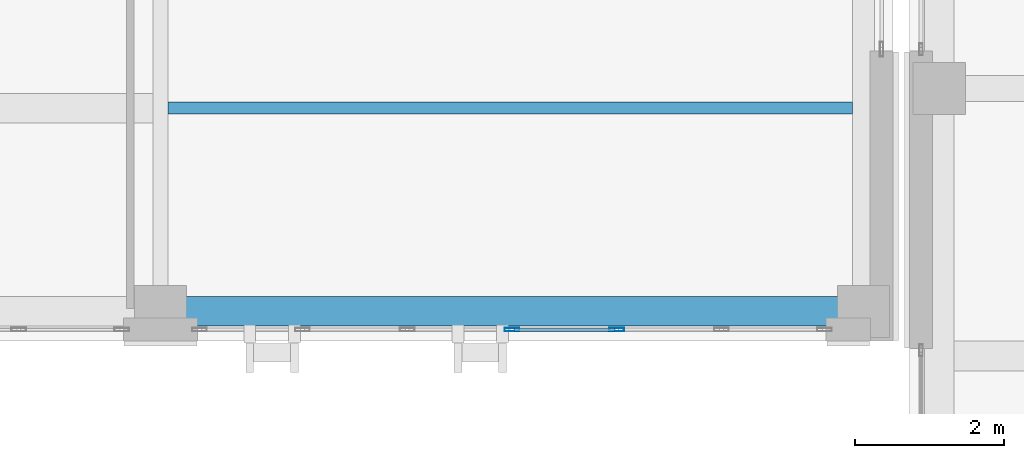
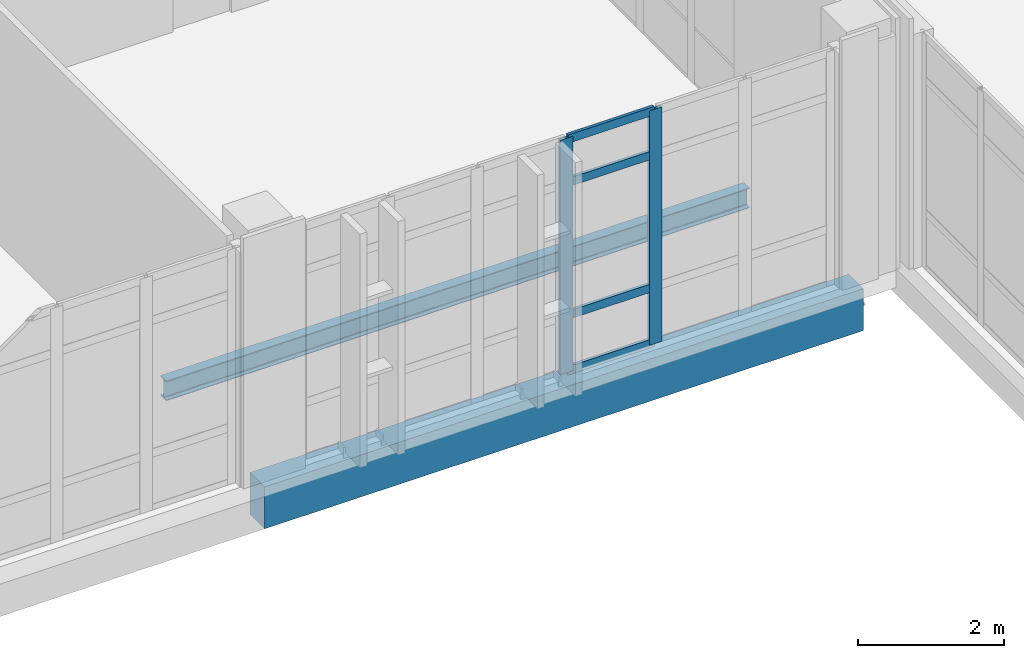
# One storey, part 37 of 193: 6 members, 2 beams, 1 element without a shape of its own.
"""IFC4 building model written with IfcOpenShell, lengths in metres."""

from ifc_helpers import new_model, si_unit, direction, frame, origin, origin_2d, place, context, subcontext, project, spatial, rectangle, hollow_rectangle, i_section, extrude, material, layer, layer_set, material_profile, profile_set, type_object, element, aggregate, save


model = new_model("IFC4")

# Units and contexts
model_context = context("Model", 3, precision=1e-05, world=origin(), true_north=direction((0.0, 1.0)))
body_context = subcontext(model_context, "Body", "Model", "MODEL_VIEW")
ifc_project = project(units=[si_unit("LENGTHUNIT", "METRE"), si_unit("AREAUNIT", "SQUARE_METRE"), si_unit("VOLUMEUNIT", "CUBIC_METRE"), si_unit("PLANEANGLEUNIT", "RADIAN"), si_unit("MASSUNIT", "GRAM", prefix="KILO")], contexts=[model_context])

# Site, building, storey
site_placement = place(None, origin())
site = spatial("IfcSite", under=ifc_project, at=site_placement, CompositionType="ELEMENT")
building_placement = place(site_placement, origin())
building = spatial("IfcBuilding", under=site, at=building_placement, Name="Qalavern Law Courts", CompositionType="ELEMENT")
storey_placement = place(building_placement, frame((0.0, 0.0, 10.199951171875)))
storey = spatial("IfcBuildingStorey", under=building, at=storey_placement, Name="L02", CompositionType="ELEMENT", Elevation=10.199951171875)

# Curtain wall, members
ifc_material_1 = material(Name="Anodised aluminium and insulated glazing", Category="aluminium")
ifc_layer = layer(ifc_material_1, 0.18505859375)
ifc_layer_set = layer_set([ifc_layer], Name="Anodised aluminium and insulated glazing")
curtain_wall_type = type_object("IfcCurtainWallType", Name="ENV-CW-HALL", PredefinedType="USERDEFINED", material=ifc_layer_set)
curtain_wall_placement = place(storey_placement, origin())
curtain_wall = element("IfcCurtainWall", 1, at=curtain_wall_placement, inside=storey, type_object=curtain_wall_type, Name="V2 unitised curtain wall L02 south 6", ObjectType="UNITISED CURTAIN WALL", PredefinedType="USERDEFINED")
ifc_material_2 = material(Name="Anodised aluminium", Category="aluminium")
ifc_material_profile_1 = material_profile(ifc_material_2, hollow_rectangle(XDim=0.048095703125, YDim=0.199951171875, WallThickness=0.00439453125, at=origin_2d()), Name="ALU MULLION 48x200")
ifc_profile_set_1 = profile_set([ifc_material_profile_1], Name="Anodised aluminium")
member_type_1 = type_object("IfcMemberType", Name="ENV-CWM-48x200", PredefinedType="MULLION", material=ifc_profile_set_1)
member_1_placement = place(storey_placement, frame((96.07275390625, 5.35498046875, 0.0), z_axis=(0.0, 0.0, 1.0), x_axis=(0.0, 1.0, 0.0)))
member_1 = element("IfcMember", 2, at=member_1_placement, type_object=member_type_1, Name="CW-02 mullion 4", PredefinedType="MULLION", context=body_context, shape_type="SweptSolid", body=[
    extrude(hollow_rectangle(XDim=0.048095703125, YDim=0.199951171875, WallThickness=0.00439453125, at=origin_2d()), origin(), (0.0, 0.0, 1.0), 3.9150390625),
])
member_2_placement = place(storey_placement, frame((97.48193359375, 5.35498046875, 0.0), z_axis=(0.0, 0.0, 1.0), x_axis=(0.0, 1.0, 0.0)))
member_2 = element("IfcMember", 3, at=member_2_placement, type_object=member_type_1, Name="CW-02 mullion 5", PredefinedType="MULLION", context=body_context, shape_type="SweptSolid", body=[
    extrude(hollow_rectangle(XDim=0.048095703125, YDim=0.199951171875, WallThickness=0.00439453125, at=origin_2d()), origin(), (0.0, 0.0, 1.0), 3.9150390625),
])
ifc_material_profile_2 = material_profile(ifc_material_2, hollow_rectangle(XDim=0.048095703125, YDim=0.139892578125, WallThickness=0.00390625, at=origin_2d()), Name="ALU TRANSOM 48x140")
ifc_profile_set_2 = profile_set([ifc_material_profile_2], Name="Anodised aluminium")
member_type_2 = type_object("IfcMemberType", Name="ENV-CWT-48x140", PredefinedType="USERDEFINED", material=ifc_profile_set_2)
member_3_placement = place(storey_placement, frame((96.096923828125, 5.35498046875, 0.024169921875), z_axis=(1.0, 0.0, 0.0), x_axis=(0.0, 1.0, 0.0)))
member_3 = element("IfcMember", 4, at=member_3_placement, type_object=member_type_2, Name="CW-02 transom 4.1", ObjectType="TRANSOM", PredefinedType="USERDEFINED", context=body_context, shape_type="SweptSolid", body=[
    extrude(hollow_rectangle(XDim=0.048095703125, YDim=0.139892578125, WallThickness=0.00390625, at=origin_2d()), origin(), (0.0, 0.0, 1.0), 1.361083984375),
])
member_4_placement = place(storey_placement, frame((96.096923828125, 5.35498046875, 0.949951171875), z_axis=(1.0, 0.0, 0.0), x_axis=(0.0, 1.0, 0.0)))
member_4 = element("IfcMember", 5, at=member_4_placement, type_object=member_type_2, Name="CW-02 transom 4.2", ObjectType="TRANSOM", PredefinedType="USERDEFINED", context=body_context, shape_type="SweptSolid", body=[
    extrude(hollow_rectangle(XDim=0.048095703125, YDim=0.139892578125, WallThickness=0.00390625, at=origin_2d()), origin(), (0.0, 0.0, 1.0), 1.361083984375),
])
member_5_placement = place(storey_placement, frame((96.096923828125, 5.35498046875, 3.1650390625), z_axis=(1.0, 0.0, 0.0), x_axis=(0.0, 1.0, 0.0)))
member_5 = element("IfcMember", 6, at=member_5_placement, type_object=member_type_2, Name="CW-02 transom 4.3", ObjectType="TRANSOM", PredefinedType="USERDEFINED", context=body_context, shape_type="SweptSolid", body=[
    extrude(hollow_rectangle(XDim=0.048095703125, YDim=0.139892578125, WallThickness=0.00390625, at=origin_2d()), origin(), (0.0, 0.0, 1.0), 1.361083984375),
])
member_6_placement = place(storey_placement, frame((96.096923828125, 5.35498046875, 3.89111328125), z_axis=(1.0, 0.0, 0.0), x_axis=(0.0, 1.0, 0.0)))
member_6 = element("IfcMember", 7, at=member_6_placement, type_object=member_type_2, Name="CW-02 transom 4.4", ObjectType="TRANSOM", PredefinedType="USERDEFINED", context=body_context, shape_type="SweptSolid", body=[
    extrude(hollow_rectangle(XDim=0.048095703125, YDim=0.139892578125, WallThickness=0.00390625, at=origin_2d()), origin(), (0.0, 0.0, 1.0), 1.361083984375),
])
aggregate(curtain_wall, [member_1, member_2, member_3, member_4, member_5, member_6])

# Beams
ifc_material_3 = material(Name="Steel S355", Category="steel")
ifc_material_profile_3 = material_profile(ifc_material_3, i_section(OverallWidth=0.159912109375, OverallDepth=0.330078125, WebThickness=0.007568359375, FlangeThickness=0.011474609375, FilletRadius=0.01806640625, at=origin_2d()), Name="IPE 330")
ifc_profile_set_3 = profile_set([ifc_material_profile_3], Name="Steel S355")
beam_type_1 = type_object("IfcBeamType", Name="STR-JST-IPE330", PredefinedType="JOIST", material=ifc_profile_set_3)
beam_1_placement = place(storey_placement, frame((91.443603515625, 8.333251953125, -0.454833984375), z_axis=(1.0, 0.0, 0.0), x_axis=(0.0, 1.0, 0.0)))
element("IfcBeam", 8, at=beam_1_placement, inside=storey, type_object=beam_type_1, Name="V2 secondary joist 7.1.1 L02", PredefinedType="JOIST", context=body_context, shape_type="SweptSolid", body=[
    extrude(i_section(OverallWidth=0.159912109375, OverallDepth=0.330078125, WebThickness=0.007568359375, FlangeThickness=0.011474609375, FilletRadius=0.01806640625, at=origin_2d()), origin(), (0.0, 0.0, 1.0), 9.20849609375),
])
ifc_material_4 = material(Name="Concrete C40/50", Category="concrete")
ifc_material_profile_4 = material_profile(ifc_material_4, rectangle(XDim=0.39990234375, YDim=0.699951171875, at=origin_2d()), Name="RC 400x700")
ifc_profile_set_4 = profile_set([ifc_material_profile_4], Name="Concrete C40/50")
beam_type_2 = type_object("IfcBeamType", Name="STR-SP-RC400x700", PredefinedType="SPANDREL", material=ifc_profile_set_4)
beam_2_placement = place(storey_placement, frame((91.345703125, 5.60009765625, -0.639892578125), z_axis=(1.0, 0.0, 0.0), x_axis=(0.0, 1.0, 0.0)))
element("IfcBeam", 9, at=beam_2_placement, inside=storey, type_object=beam_type_2, Name="V2 X-beam 1-7 L02", PredefinedType="SPANDREL", context=body_context, shape_type="SweptSolid", body=[
    extrude(rectangle(XDim=0.39990234375, YDim=0.699951171875, at=origin_2d()), origin(), (0.0, 0.0, 1.0), 9.454345703125),
])

save(model, "model.ifc")
